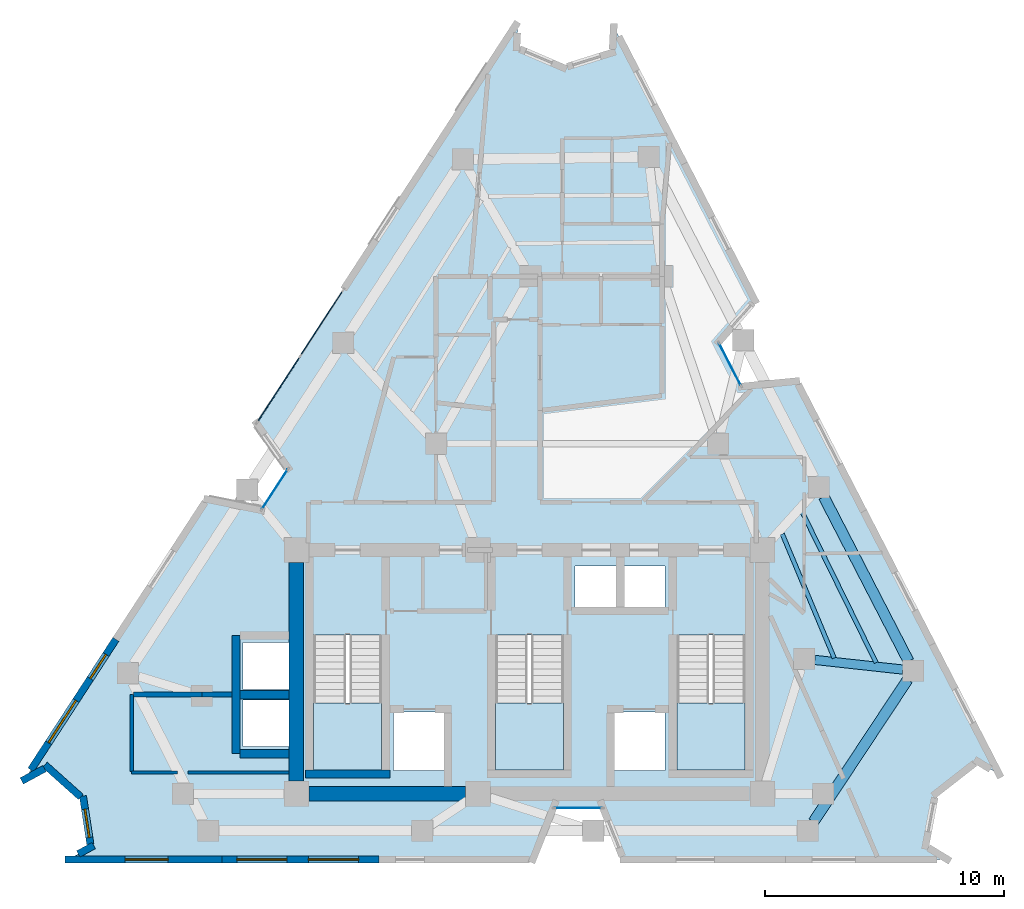
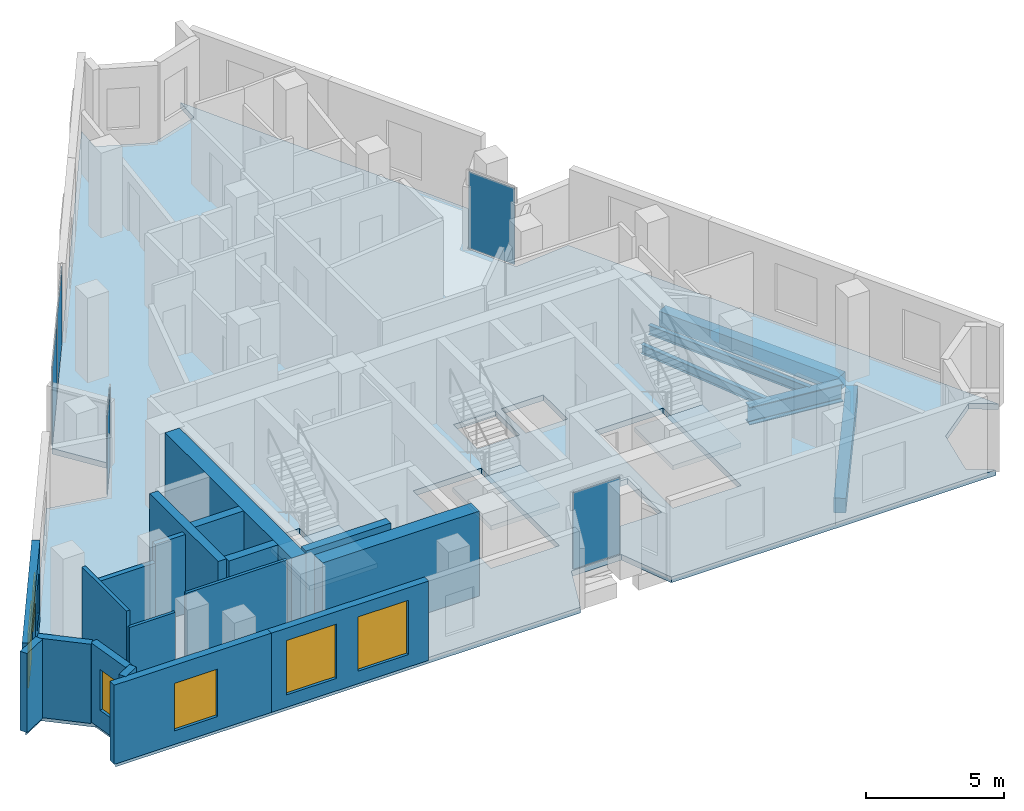
# One storey, part 4 of 9: 18 walls, 6 windows, 5 beams, 5 plates, 4 slabs, 6 openings, 7 elements without a shape of their own.
"""IFC4 building model written with IfcOpenShell, lengths in metres."""

from ifc_helpers import new_model, si_unit, direction, frame, frame_2d, origin, origin_2d, place, context, subcontext, project, spatial, polyline, rectangle, i_section, outline, extrude, material, layer, layer_set, material_profile, profile_set, type_object, element, fill, aggregate, save


model = new_model("IFC4")

# Units and contexts
model_context = context("Model", 3, precision=1e-05, world=origin(), true_north=direction((0.0, 1.0)))
body_context = subcontext(model_context, "Body", "Model", "MODEL_VIEW")
ifc_project = project(units=[si_unit("LENGTHUNIT", "METRE"), si_unit("AREAUNIT", "SQUARE_METRE"), si_unit("VOLUMEUNIT", "CUBIC_METRE"), si_unit("PLANEANGLEUNIT", "RADIAN"), si_unit("MASSUNIT", "GRAM", prefix="KILO")], contexts=[model_context])

# Site, building, storey
site_placement = place(None, origin())
site = spatial("IfcSite", under=ifc_project, at=site_placement, CompositionType="ELEMENT")
building_placement = place(site_placement, origin())
building = spatial("IfcBuilding", under=site, at=building_placement, Name="Almagre Mirador Tower", CompositionType="ELEMENT")
storey_placement = place(building_placement, frame((0.0, 0.0, 210.75)))
storey = spatial("IfcBuildingStorey", under=building, at=storey_placement, Name="L54", CompositionType="ELEMENT", Elevation=210.75)

# Beams
ifc_material_1 = material(Name="Steel ASTM A992 Grade 50", Category="steel")
ifc_material_profile_1 = material_profile(ifc_material_1, i_section(OverallWidth=0.178955078125, OverallDepth=0.408935546875, WebThickness=0.0087890625, FlangeThickness=0.014404296875, FilletRadius=0.013916015625, at=origin_2d()), Name="W16X45")
ifc_profile_set_1 = profile_set([ifc_material_profile_1], Name="Steel ASTM A992 Grade 50")
beam_type_1 = type_object("IfcBeamType", Name="BM-JST-W16X45", PredefinedType="JOIST", material=ifc_profile_set_1)
beam_1_placement = place(storey_placement, frame((51.814208984375, 10.032470703125, -0.45458984375), z_axis=(-0.440499526786, 0.897752842881, 0.0), x_axis=(-0.897752842881, -0.440499526786, 0.0)))
element("IfcBeam", 1, at=beam_1_placement, inside=storey, type_object=beam_type_1, Name="L54 secondary floor joist PC05-PC06.1", PredefinedType="JOIST", context=body_context, shape_type="SweptSolid", body=[
    extrude(i_section(OverallWidth=0.178955078125, OverallDepth=0.408935546875, WebThickness=0.0087890625, FlangeThickness=0.014404296875, FilletRadius=0.013916015625, at=origin_2d()), origin(), (0.0, 0.0, 1.0), 7.02392578125),
])
beam_2_placement = place(storey_placement, frame((50.056884765625, 10.231201171875, -0.45458984375), z_axis=(-0.38582023775, 0.922573977599, 0.0), x_axis=(-0.922573977599, -0.38582023775, 0.0)))
element("IfcBeam", 2, at=beam_2_placement, inside=storey, type_object=beam_type_1, Name="L54 secondary floor joist PC05-PC06.3", PredefinedType="JOIST", context=body_context, shape_type="SweptSolid", body=[
    extrude(i_section(OverallWidth=0.178955078125, OverallDepth=0.408935546875, WebThickness=0.0087890625, FlangeThickness=0.014404296875, FilletRadius=0.013916015625, at=origin_2d()), origin(), (0.0, 0.0, 1.0), 5.624267578125),
])
ifc_material_2 = material(Name="Precast concrete C50/60", Category="concrete")
ifc_material_profile_2 = material_profile(ifc_material_2, rectangle(XDim=0.449951171875, YDim=0.64990234375, at=origin_2d()), Name="RC450X650")
ifc_profile_set_2 = profile_set([ifc_material_profile_2], Name="Precast concrete C50/60")
beam_type_2 = type_object("IfcBeamType", Name="BM-SPN-RC450X650", PredefinedType="SPANDREL", material=ifc_profile_set_2)
beam_3_placement = place(storey_placement, frame((49.1923828125, 3.375244140625, -0.574951171875), z_axis=(0.551908560309, 0.83390463547, 0.0), x_axis=(-0.83390463547, 0.551908560309, 0.0)))
element("IfcBeam", 3, at=beam_3_placement, inside=storey, type_object=beam_type_2, Name="L54 perimeter spandrel beam PC04-PC05", PredefinedType="SPANDREL", context=body_context, shape_type="SweptSolid", body=[
    extrude(rectangle(XDim=0.449951171875, YDim=0.64990234375, at=origin_2d()), origin(), (0.0, 0.0, 1.0), 7.132080078125),
])
beam_4_placement = place(storey_placement, frame((53.1708984375, 10.097900390625, -0.574951171875), z_axis=(-0.45829341544, 0.888800959363, 0.0), x_axis=(-0.888800959363, -0.45829341544, 0.0)))
element("IfcBeam", 4, at=beam_4_placement, inside=storey, type_object=beam_type_2, Name="L54 perimeter spandrel beam PC05-PC06", PredefinedType="SPANDREL", context=body_context, shape_type="SweptSolid", body=[
    extrude(rectangle(XDim=0.449951171875, YDim=0.64990234375, at=origin_2d()), origin(), (0.0, 0.0, 1.0), 7.740966796875),
])
ifc_material_3 = material(Name="Steel ASTM A992 Grade 50", Category="steel")
ifc_material_profile_3 = material_profile(ifc_material_3, i_section(OverallWidth=0.384033203125, OverallDepth=0.784912109375, WebThickness=0.019775390625, FlangeThickness=0.033447265625, FilletRadius=0.02392578125, at=origin_2d()), Name="W30X211")
ifc_profile_set_3 = profile_set([ifc_material_profile_3], Name="Steel ASTM A992 Grade 50")
beam_type_3 = type_object("IfcBeamType", Name="BM-STL-W30X211", PredefinedType="BEAM", material=ifc_profile_set_3)
beam_5_placement = place(storey_placement, frame((52.9296875, 9.7470703125, -0.642578125), z_axis=(-0.994041045224, 0.109006423709, 0.0), x_axis=(-0.109006423709, -0.994041045224, 0.0)))
element("IfcBeam", 5, at=beam_5_placement, inside=storey, type_object=beam_type_3, Name="L54 radial floor girder PC05-MC3", PredefinedType="BEAM", context=body_context, shape_type="SweptSolid", body=[
    extrude(i_section(OverallWidth=0.384033203125, OverallDepth=0.784912109375, WebThickness=0.019775390625, FlangeThickness=0.033447265625, FilletRadius=0.02392578125, at=origin_2d()), origin(), (0.0, 0.0, 1.0), 3.704345703125),
])

# Curtain wall, plate
ifc_material_4 = material(Name="Black anodized aluminium", Category="aluminium")
ifc_layer_1 = layer(ifc_material_4, 0.169921875)
ifc_layer_set_1 = layer_set([ifc_layer_1], Name="Black anodized aluminium")
curtain_wall_type_1 = type_object("IfcCurtainWallType", Name="CW-CRS-SYS", PredefinedType="NOTDEFINED", material=ifc_layer_set_1)
curtain_wall_1_placement = place(storey_placement, origin())
curtain_wall_1 = element("IfcCurtainWall", 6, at=curtain_wall_1_placement, inside=storey, type_object=curtain_wall_type_1, Name="L54 vertical crease curtain wall 01", PredefinedType="NOTDEFINED")
ifc_material_5 = material(Name="Dark solar-control laminated hurricane glass", Category="glass")
ifc_layer_2 = layer(ifc_material_5, 0.028076171875)
ifc_layer_set_2 = layer_set([ifc_layer_2], Name="Dark solar-control laminated hurricane glass")
plate_type_1 = type_object("IfcPlateType", Name="PLT-GLZ-28", PredefinedType="CURTAIN_PANEL", material=ifc_layer_set_2)
plate_1_placement = place(storey_placement, frame((26.65087890625, 17.29150390625, 0.06005859375), z_axis=(0.0, 0.0, 1.0), x_axis=(0.545610640334, 0.838038799313, 0.0)))
plate_1 = element("IfcPlate", 7, at=plate_1_placement, type_object=plate_type_1, Name="CW-4 panel 1.1", PredefinedType="CURTAIN_PANEL", context=body_context, shape_type="SweptSolid", body=[
    extrude(rectangle(XDim=1.969482421875, YDim=0.028076171875, at=origin_2d()), origin(), (0.0, 0.0, 1.0), 3.3798828125),
])
aggregate(curtain_wall_1, [plate_1])

curtain_wall_2_placement = place(storey_placement, origin())
curtain_wall_2 = element("IfcCurtainWall", 8, at=curtain_wall_2_placement, inside=storey, type_object=curtain_wall_type_1, Name="L54 vertical crease curtain wall 03", PredefinedType="NOTDEFINED")
plate_2_placement = place(storey_placement, frame((45.697998046875, 22.51806640625, 0.06005859375), z_axis=(0.0, 0.0, 1.0), x_axis=(0.458277323858, -0.888809256499, 0.0)))
plate_2 = element("IfcPlate", 9, at=plate_2_placement, type_object=plate_type_1, Name="CW-4 panel 1.1", PredefinedType="CURTAIN_PANEL", context=body_context, shape_type="SweptSolid", body=[
    extrude(rectangle(XDim=1.970458984375, YDim=0.028076171875, at=origin_2d()), origin(), (0.0, 0.0, 1.0), 3.3798828125),
])
aggregate(curtain_wall_2, [plate_2])

curtain_wall_3_placement = place(storey_placement, origin())
curtain_wall_3 = element("IfcCurtainWall", 10, at=curtain_wall_3_placement, inside=storey, type_object=curtain_wall_type_1, Name="L54 vertical crease curtain wall 04", PredefinedType="NOTDEFINED")
plate_3_placement = place(storey_placement, frame((39.343994140625, 3.949951171875, 0.06005859375), z_axis=(0.0, 0.0, 1.0), x_axis=(-1.0, 0.0, 0.0)))
plate_3 = element("IfcPlate", 11, at=plate_3_placement, type_object=plate_type_1, Name="CW-4 panel 1.1", PredefinedType="CURTAIN_PANEL", context=body_context, shape_type="SweptSolid", body=[
    extrude(rectangle(XDim=1.969970703125, YDim=0.028076171875, at=origin_2d()), origin(), (0.0, 0.0, 1.0), 3.3798828125),
])
aggregate(curtain_wall_3, [plate_3])

# Curtain wall, plates
ifc_material_6 = material(Name="Black anodized aluminium", Category="aluminium")
ifc_layer_3 = layer(ifc_material_6, 0.199951171875)
ifc_layer_set_3 = layer_set([ifc_layer_3], Name="Black anodized aluminium")
curtain_wall_type_2 = type_object("IfcCurtainWallType", Name="CW-RES-H-SYS", PredefinedType="NOTDEFINED", material=ifc_layer_set_3)
curtain_wall_4_placement = place(storey_placement, origin())
curtain_wall_4 = element("IfcCurtainWall", 12, at=curtain_wall_4_placement, inside=storey, type_object=curtain_wall_type_2, Name="L54 curtain wall run 02", PredefinedType="NOTDEFINED")
ifc_material_7 = material(Name="Dark solar-control laminated hurricane glass", Category="glass")
ifc_layer_4 = layer(ifc_material_7, 0.035888671875)
ifc_layer_set_4 = layer_set([ifc_layer_4], Name="Dark solar-control laminated hurricane glass")
plate_type_2 = type_object("IfcPlateType", Name="PLT-GLZ-36", PredefinedType="CURTAIN_PANEL", material=ifc_layer_set_4)
plate_4_placement = place(storey_placement, frame((26.805908203125, 21.469970703125, 0.06494140625), z_axis=(0.0, 0.0, 1.0), x_axis=(0.545614483846, 0.838036296957, 0.0)))
plate_4 = element("IfcPlate", 13, at=plate_4_placement, type_object=plate_type_2, Name="CW-3 panel 1.1", PredefinedType="CURTAIN_PANEL", context=body_context, shape_type="SweptSolid", body=[
    extrude(rectangle(XDim=3.241943359375, YDim=0.035888671875, at=origin_2d()), origin(), (0.0, 0.0, 1.0), 3.3701171875),
])
plate_5_placement = place(storey_placement, frame((28.610107421875, 24.2412109375, 0.06494140625), z_axis=(0.0, 0.0, 1.0), x_axis=(0.545614483846, 0.838036296957, 0.0)))
plate_5 = element("IfcPlate", 14, at=plate_5_placement, type_object=plate_type_2, Name="CW-3 panel 2.1", PredefinedType="CURTAIN_PANEL", context=body_context, shape_type="SweptSolid", body=[
    extrude(rectangle(XDim=3.241943359375, YDim=0.035888671875, at=origin_2d()), origin(), (0.0, 0.0, 1.0), 3.3701171875),
])
aggregate(curtain_wall_4, [plate_4, plate_5])

# Slab
ifc_material_8 = material(Name="Concrete C45/55", Category="concrete")
ifc_layer_5 = layer(ifc_material_8, 0.25)
ifc_layer_set_5 = layer_set([ifc_layer_5], Name="Concrete C45/55")
slab_type_1 = type_object("IfcSlabType", Name="SLB-FLR-250", PredefinedType="FLOOR", material=ifc_layer_set_5)
slab_1_placement = place(storey_placement, frame((0.0, 0.0, -0.25)))
element("IfcSlab", 15, at=slab_1_placement, inside=storey, type_object=slab_type_1, Name="L54 structural floor slab", PredefinedType="FLOOR", context=body_context, shape_type="SweptSolid", body=[
    extrude(outline(polyline([(16.181884765625, 5.152099609375), (17.132080078125, 5.6669921875), (18.64208984375, 4.31689453125), (18.948974609375, 2.31494140625), (18.0, 1.800048828125), (37.444091796875, 1.800048828125), (38.299072265625, 3.949951171875), (40.388916015625, 3.949951171875), (41.243896484375, 1.800048828125), (54.800048828125, 1.800048828125), (53.8779296875, 2.362060546875), (54.291015625, 4.548095703125), (56.044921875, 5.9169921875), (56.967041015625, 5.35498046875), (48.47998046875, 21.81396484375), (46.177001953125, 21.589111328125), (45.218994140625, 23.447021484375), (46.739013671875, 25.19189453125), (40.8330078125, 36.64501953125), (40.779052734375, 35.56591796875), (38.73291015625, 34.927001953125), (36.762939453125, 35.76904296875), (36.818115234375, 36.847900390625), (25.885986328125, 20.056884765625), (27.220947265625, 18.1669921875), (26.0810546875, 16.416015625), (23.81298828125, 16.8720703125), (16.181884765625, 5.152099609375)]), holes=[polyline([(43.47509765625, 5.550048828125), (43.47509765625, 11.196044921875), (46.324951171875, 11.196044921875), (46.324951171875, 5.550048828125), (43.47509765625, 5.550048828125)]), polyline([(41.219970703125, 12.320068359375), (41.219970703125, 14.080078125), (42.97998046875, 14.080078125), (42.97998046875, 12.320068359375), (41.219970703125, 12.320068359375)]), polyline([(42.97998046875, 5.52001953125), (40.820068359375, 5.52001953125), (40.820068359375, 7.97998046875), (42.97998046875, 7.97998046875), (42.97998046875, 5.52001953125)]), polyline([(39.219970703125, 12.320068359375), (39.219970703125, 14.080078125), (40.97998046875, 14.080078125), (40.97998046875, 12.320068359375), (39.219970703125, 12.320068359375)]), polyline([(35.875, 5.550048828125), (35.875, 11.196044921875), (38.72509765625, 11.196044921875), (38.72509765625, 5.550048828125), (35.875, 5.550048828125)]), polyline([(33.780029296875, 5.52001953125), (31.6201171875, 5.52001953125), (31.6201171875, 7.97998046875), (33.780029296875, 7.97998046875), (33.780029296875, 5.52001953125)]), polyline([(28.27490234375, 5.550048828125), (28.27490234375, 11.196044921875), (31.125, 11.196044921875), (31.125, 5.550048828125), (28.27490234375, 5.550048828125)]), polyline([(27.3798828125, 6.52001953125), (25.320068359375, 6.52001953125), (25.320068359375, 8.47998046875), (27.3798828125, 8.47998046875), (27.3798828125, 6.52001953125)]), polyline([(27.3798828125, 8.919921875), (25.320068359375, 8.919921875), (25.320068359375, 10.8798828125), (27.3798828125, 10.8798828125), (27.3798828125, 8.919921875)])]), origin(), (0.0, 0.0, 1.0), 0.25),
])

# Stair, slab
ifc_material_9 = material(Name="Concrete C45/55", Category="concrete")
stair_type = type_object("IfcStairType", Name="STR-DL-3750", PredefinedType="HALF_TURN_STAIR", material=ifc_material_9)
stair_1_placement = place(storey_placement, origin())
stair_1 = element("IfcStair", 16, at=stair_1_placement, inside=storey, type_object=stair_type, Name="L54 Protected exit stair ST-1", PredefinedType="HALF_TURN_STAIR")
ifc_material_10 = material(Name="Concrete C45/55", Category="concrete")
ifc_layer_6 = layer(ifc_material_10, 0.199951171875)
ifc_layer_set_6 = layer_set([ifc_layer_6], Name="Concrete C45/55")
slab_type_2 = type_object("IfcSlabType", Name="SLB-LND-200", PredefinedType="LANDING", material=ifc_layer_set_6)
slab_2_placement = place(storey_placement, frame((0.0, 0.0, 1.675048828125)))
slab_2 = element("IfcSlab", 17, at=slab_2_placement, type_object=slab_type_2, Name="ST-1 landing 1", PredefinedType="LANDING", context=body_context, shape_type="SweptSolid", body=[
    extrude(outline(polyline([(28.27490234375, 8.35009765625), (28.27490234375, 5.550048828125), (31.125, 5.550048828125), (31.125, 8.35009765625), (28.27490234375, 8.35009765625)])), origin(), (0.0, 0.0, 1.0), 0.199951171875),
])
aggregate(stair_1, [slab_2])

stair_2_placement = place(storey_placement, origin())
stair_2 = element("IfcStair", 18, at=stair_2_placement, inside=storey, type_object=stair_type, Name="L54 Protected exit stair ST-2", PredefinedType="HALF_TURN_STAIR")
slab_3_placement = place(storey_placement, frame((0.0, 0.0, 1.675048828125)))
slab_3 = element("IfcSlab", 19, at=slab_3_placement, type_object=slab_type_2, Name="ST-2 landing 1", PredefinedType="LANDING", context=body_context, shape_type="SweptSolid", body=[
    extrude(outline(polyline([(35.875, 8.35009765625), (35.875, 5.550048828125), (38.72509765625, 5.550048828125), (38.72509765625, 8.35009765625), (35.875, 8.35009765625)])), origin(), (0.0, 0.0, 1.0), 0.199951171875),
])
aggregate(stair_2, [slab_3])

stair_3_placement = place(storey_placement, origin())
stair_3 = element("IfcStair", 20, at=stair_3_placement, inside=storey, type_object=stair_type, Name="L54 Protected exit stair ST-3", PredefinedType="HALF_TURN_STAIR")
slab_4_placement = place(storey_placement, frame((0.0, 0.0, 1.675048828125)))
slab_4 = element("IfcSlab", 21, at=slab_4_placement, type_object=slab_type_2, Name="ST-3 landing 1", PredefinedType="LANDING", context=body_context, shape_type="SweptSolid", body=[
    extrude(outline(polyline([(43.47509765625, 8.35009765625), (43.47509765625, 5.550048828125), (46.324951171875, 5.550048828125), (46.324951171875, 8.35009765625), (43.47509765625, 8.35009765625)])), origin(), (0.0, 0.0, 1.0), 0.199951171875),
])
aggregate(stair_3, [slab_4])

# Wall, openings, windows
ifc_material_11 = material(Name="Precast concrete C50/60", Category="concrete")
ifc_layer_7 = layer(ifc_material_11, 0.300048828125)
ifc_layer_set_7 = layer_set([ifc_layer_7], Name="Precast concrete C50/60")
wall_type_1 = type_object("IfcWallType", Name="WAL-EXT-300", PredefinedType="SOLIDWALL", material=ifc_layer_set_7)
wall_1_placement = place(storey_placement, frame((31.00927734375, 1.800048828125, 0.0), z_axis=(0.0, 0.0, 1.0), x_axis=(-1.0, 0.0, 0.0)))
wall_1 = element("IfcWall", 22, at=wall_1_placement, inside=storey, type_object=wall_type_1, Name="L54 expressed almagre precast frame wall 25", PredefinedType="SOLIDWALL", context=body_context, shape_type="SweptSolid", body=[
    extrude(rectangle(XDim=6.574462890625, YDim=0.300048828125, at=frame_2d((3.287109375, 0.0))), origin(), (0.0, 0.0, 1.0), 3.5),
])
opening_1_placement = place(wall_1_placement, frame((3.85009765625, 0.0, 0.550048828125)))
opening_1 = element("IfcOpeningElement", 23, at=opening_1_placement, cuts=wall_1, Name="Opening WN-05", PredefinedType="OPENING", context=body_context, shape_type="SweptSolid", body=[
    extrude(rectangle(XDim=2.10009765625, YDim=2.39990234375, at=frame_2d((1.050048828125, 1.199951171875))), frame((0.0, 0.159902, 0.0), z_axis=(0.0, -1.0, 0.0), x_axis=(1.0, 0.0, 0.0)), (0.0, 0.0, 1.0), 0.320049),
])
opening_2_placement = place(wall_1_placement, frame((0.85009765625, 0.0, 0.550048828125)))
opening_2 = element("IfcOpeningElement", 24, at=opening_2_placement, cuts=wall_1, Name="Opening WN-05", PredefinedType="OPENING", context=body_context, shape_type="SweptSolid", body=[
    extrude(rectangle(XDim=2.10009765625, YDim=2.39990234375, at=frame_2d((1.050048828125, 1.199951171875))), frame((0.0, 0.159902, 0.0), z_axis=(0.0, -1.0, 0.0), x_axis=(1.0, 0.0, 0.0)), (0.0, 0.0, 1.0), 0.320049),
])
ifc_material_12 = material(Name="Dark solar-control laminated hurricane glass", Category="glass")
window_type_1 = type_object("IfcWindowType", Name="WIN-2100X2400", PartitioningType="DOUBLE_PANEL_VERTICAL", PredefinedType="WINDOW", material=ifc_material_12)
window_1_placement = place(opening_1_placement, origin())
window_1 = element("IfcWindow", 25, at=window_1_placement, inside=storey, type_object=window_type_1, Name="L54 recessed hurricane window L54-UA-LV", OverallHeight=2.39990234375, OverallWidth=2.10009765625, PartitioningType="SINGLE_PANEL", PredefinedType="WINDOW", context=body_context, shape_type="SweptSolid", body=[
    extrude(rectangle(XDim=2.10009765625, YDim=2.39990234375, at=frame_2d((1.050048828125, 1.199951171875))), frame((0.0, 0.030029296875, 0.0), z_axis=(0.0, -1.0, 0.0), x_axis=(1.0, 0.0, 0.0)), (0.0, 0.0, 1.0), 0.06005859375),
])
fill(opening_1, window_1)
window_2_placement = place(opening_2_placement, origin())
window_2 = element("IfcWindow", 26, at=window_2_placement, inside=storey, type_object=window_type_1, Name="L54 recessed hurricane window L54-UA-MB", OverallHeight=2.39990234375, OverallWidth=2.10009765625, PartitioningType="SINGLE_PANEL", PredefinedType="WINDOW", context=body_context, shape_type="SweptSolid", body=[
    extrude(rectangle(XDim=2.10009765625, YDim=2.39990234375, at=frame_2d((1.050048828125, 1.199951171875))), frame((0.0, 0.030029296875, 0.0), z_axis=(0.0, -1.0, 0.0), x_axis=(1.0, 0.0, 0.0)), (0.0, 0.0, 1.0), 0.06005859375),
])
fill(opening_2, window_2)

# Wall, opening, window
wall_2_placement = place(storey_placement, frame((24.434814453125, 1.800048828125, 0.0), z_axis=(0.0, 0.0, 1.0), x_axis=(-1.0, 0.0, 0.0)))
wall_2 = element("IfcWall", 27, at=wall_2_placement, inside=storey, type_object=wall_type_1, Name="L54 expressed almagre precast frame wall 26", PredefinedType="SOLIDWALL", context=body_context, shape_type="SweptSolid", body=[
    extrude(rectangle(XDim=6.57470703125, YDim=0.300048828125, at=frame_2d((3.287353515625, 0.0))), origin(), (0.0, 0.0, 1.0), 3.5),
])
opening_3_placement = place(wall_2_placement, frame((2.25, 0.0, 0.60009765625)))
opening_3 = element("IfcOpeningElement", 28, at=opening_3_placement, cuts=wall_2, Name="Opening WN-01", PredefinedType="OPENING", context=body_context, shape_type="SweptSolid", body=[
    extrude(rectangle(XDim=1.800048828125, YDim=2.10009765625, at=frame_2d((0.89990234375, 1.050048828125))), frame((0.0, 0.159902, 0.0), z_axis=(0.0, -1.0, 0.0), x_axis=(1.0, 0.0, 0.0)), (0.0, 0.0, 1.0), 0.320049),
])
ifc_material_13 = material(Name="Dark solar-control laminated hurricane glass", Category="glass")
window_type_2 = type_object("IfcWindowType", Name="WIN-1800X2100", PartitioningType="DOUBLE_PANEL_VERTICAL", PredefinedType="WINDOW", material=ifc_material_13)
window_3_placement = place(opening_3_placement, origin())
window_3 = element("IfcWindow", 29, at=window_3_placement, inside=storey, type_object=window_type_2, Name="L54 recessed hurricane window L54-UA-LV", OverallHeight=2.10009765625, OverallWidth=1.800048828125, PartitioningType="SINGLE_PANEL", PredefinedType="WINDOW", context=body_context, shape_type="SweptSolid", body=[
    extrude(rectangle(XDim=1.800048828125, YDim=2.10009765625, at=frame_2d((0.89990234375, 1.050048828125))), frame((0.0, 0.030029296875, 0.0), z_axis=(0.0, -1.0, 0.0), x_axis=(1.0, 0.0, 0.0)), (0.0, 0.0, 1.0), 0.06005859375),
])
fill(opening_3, window_3)

# Wall
wall_3_placement = place(storey_placement, frame((18.42626953125, 2.03125, 0.0), z_axis=(0.0, 0.0, 1.0), x_axis=(0.878833528688, 0.47712852446, 0.0)))
element("IfcWall", 30, at=wall_3_placement, inside=storey, type_object=wall_type_1, Name="L54 expressed almagre precast frame wall 27", PredefinedType="SOLIDWALL", context=body_context, shape_type="SweptSolid", body=[
    extrude(rectangle(XDim=0.73486328125, YDim=0.300048828125, at=frame_2d((0.367431640625, 0.0))), origin(), (0.0, 0.0, 1.0), 3.5),
])

# Wall, opening, window
wall_4_placement = place(storey_placement, frame((18.928466796875, 2.448486328125, 0.0), z_axis=(0.0, 0.0, 1.0), x_axis=(-0.151514993769, 0.98845495935, 0.0)))
wall_4 = element("IfcWall", 31, at=wall_4_placement, inside=storey, type_object=wall_type_1, Name="L54 expressed almagre precast frame wall 28", PredefinedType="SOLIDWALL", context=body_context, shape_type="SweptSolid", body=[
    extrude(rectangle(XDim=2.0302734375, YDim=0.300048828125, at=frame_2d((1.01513671875, 0.0))), origin(), (0.0, 0.0, 1.0), 3.5),
])
opening_4_placement = place(wall_4_placement, frame((0.27490234375, 0.0, 0.800048828125)))
opening_4 = element("IfcOpeningElement", 32, at=opening_4_placement, cuts=wall_4, Name="Opening WN-04", PredefinedType="OPENING", context=body_context, shape_type="SweptSolid", body=[
    extrude(rectangle(XDim=1.199951171875, YDim=1.800048828125, at=frame_2d((0.60009765625, 0.89990234375))), frame((0.0, 0.159902, 0.0), z_axis=(0.0, -1.0, 0.0), x_axis=(1.0, 0.0, 0.0)), (0.0, 0.0, 1.0), 0.320049),
])
ifc_material_14 = material(Name="Dark solar-control laminated hurricane glass", Category="glass")
window_type_3 = type_object("IfcWindowType", Name="WIN-1200X1800", PartitioningType="SINGLE_PANEL", PredefinedType="WINDOW", material=ifc_material_14)
window_4_placement = place(opening_4_placement, origin())
window_4 = element("IfcWindow", 33, at=window_4_placement, inside=storey, type_object=window_type_3, Name="L54 recessed hurricane window L54-UA-LV", OverallHeight=1.800048828125, OverallWidth=1.199951171875, PartitioningType="SINGLE_PANEL", PredefinedType="WINDOW", context=body_context, shape_type="SweptSolid", body=[
    extrude(rectangle(XDim=1.199951171875, YDim=1.800048828125, at=frame_2d((0.60009765625, 0.89990234375))), frame((0.0, 0.030029296875, 0.0), z_axis=(0.0, -1.0, 0.0), x_axis=(1.0, 0.0, 0.0)), (0.0, 0.0, 1.0), 0.06005859375),
])
fill(opening_4, window_4)

# Walls
wall_5_placement = place(storey_placement, frame((18.5302734375, 4.4169921875, 0.0), z_axis=(0.0, 0.0, 1.0), x_axis=(-0.745548529149, 0.666451341572, 0.0)))
element("IfcWall", 34, at=wall_5_placement, inside=storey, type_object=wall_type_1, Name="L54 expressed almagre precast frame wall 29", PredefinedType="SOLIDWALL", context=body_context, shape_type="SweptSolid", body=[
    extrude(rectangle(XDim=2.015625, YDim=0.300048828125, at=frame_2d((1.0078125, 0.0))), origin(), (0.0, 0.0, 1.0), 3.5),
])
wall_6_placement = place(storey_placement, frame((17.01318359375, 5.602783203125, 0.0), z_axis=(0.0, 0.0, 1.0), x_axis=(-0.879044634191, -0.476739479275, 0.0)))
element("IfcWall", 35, at=wall_6_placement, inside=storey, type_object=wall_type_1, Name="L54 expressed almagre precast frame wall 30", PredefinedType="SOLIDWALL", context=body_context, shape_type="SweptSolid", body=[
    extrude(rectangle(XDim=1.085693359375, YDim=0.300048828125, at=frame_2d((0.54296875, 0.0))), origin(), (0.0, 0.0, 1.0), 3.5),
])

# Wall, openings, windows
wall_7_placement = place(storey_placement, frame((16.441162109375, 5.550048828125, 0.0), z_axis=(0.0, 0.0, 1.0), x_axis=(0.545651760549, 0.838012026292, 0.0)))
wall_7 = element("IfcWall", 36, at=wall_7_placement, inside=storey, type_object=wall_type_1, Name="L54 expressed almagre precast frame wall 31", PredefinedType="SOLIDWALL", context=body_context, shape_type="SweptSolid", body=[
    extrude(rectangle(XDim=6.517822265625, YDim=0.300048828125, at=frame_2d((3.2587890625, 0.0))), origin(), (0.0, 0.0, 1.0), 3.5),
])
opening_5_placement = place(wall_7_placement, frame((1.360107421875, 0.0, 0.550048828125)))
opening_5 = element("IfcOpeningElement", 37, at=opening_5_placement, cuts=wall_7, Name="Opening WN-05", PredefinedType="OPENING", context=body_context, shape_type="SweptSolid", body=[
    extrude(rectangle(XDim=2.10009765625, YDim=2.39990234375, at=frame_2d((1.050048828125, 1.199951171875))), frame((0.0, 0.159902, 0.0), z_axis=(0.0, -1.0, 0.0), x_axis=(1.0, 0.0, 0.0)), (0.0, 0.0, 1.0), 0.320049),
])
opening_6_placement = place(wall_7_placement, frame((4.56005859375, 0.0, 0.800048828125)))
opening_6 = element("IfcOpeningElement", 38, at=opening_6_placement, cuts=wall_7, Name="Opening WN-04", PredefinedType="OPENING", context=body_context, shape_type="SweptSolid", body=[
    extrude(rectangle(XDim=1.199951171875, YDim=1.800048828125, at=frame_2d((0.60009765625, 0.89990234375))), frame((0.0, 0.159902, 0.0), z_axis=(0.0, -1.0, 0.0), x_axis=(1.0, 0.0, 0.0)), (0.0, 0.0, 1.0), 0.320049),
])
window_5_placement = place(opening_6_placement, origin())
window_5 = element("IfcWindow", 39, at=window_5_placement, inside=storey, type_object=window_type_3, Name="L54 recessed hurricane window L54-UD-ST", OverallHeight=1.800048828125, OverallWidth=1.199951171875, PartitioningType="SINGLE_PANEL", PredefinedType="WINDOW", context=body_context, shape_type="SweptSolid", body=[
    extrude(rectangle(XDim=1.199951171875, YDim=1.800048828125, at=frame_2d((0.60009765625, 0.89990234375))), frame((0.0, 0.030029296875, 0.0), z_axis=(0.0, -1.0, 0.0), x_axis=(1.0, 0.0, 0.0)), (0.0, 0.0, 1.0), 0.06005859375),
])
fill(opening_6, window_5)
window_6_placement = place(opening_5_placement, origin())
window_6 = element("IfcWindow", 40, at=window_6_placement, inside=storey, type_object=window_type_1, Name="L54 recessed hurricane window L54-UA-HB", OverallHeight=2.39990234375, OverallWidth=2.10009765625, PartitioningType="SINGLE_PANEL", PredefinedType="WINDOW", context=body_context, shape_type="SweptSolid", body=[
    extrude(rectangle(XDim=2.10009765625, YDim=2.39990234375, at=frame_2d((1.050048828125, 1.199951171875))), frame((0.0, 0.030029296875, 0.0), z_axis=(0.0, -1.0, 0.0), x_axis=(1.0, 0.0, 0.0)), (0.0, 0.0, 1.0), 0.06005859375),
])
fill(opening_5, window_6)

# Walls
ifc_material_15 = material(Name="Gypsum acoustic stud partition", Category="other")
ifc_layer_8 = layer(ifc_material_15, 0.125)
ifc_layer_set_8 = layer_set([ifc_layer_8], Name="Gypsum acoustic stud partition")
wall_type_2 = type_object("IfcWallType", Name="WAL-PRT-125-UTL", PredefinedType="PARTITIONING", material=ifc_layer_set_8)
wall_8_placement = place(storey_placement, frame((22.580078125, 5.429931640625, 0.0), z_axis=(0.0, 0.0, 1.0), x_axis=(-1.0, 0.0, 0.0)))
element("IfcWall", 41, at=wall_8_placement, inside=storey, type_object=wall_type_2, Name="L54 interior partition 016", PredefinedType="PARTITIONING", context=body_context, shape_type="SweptSolid", body=[
    extrude(rectangle(XDim=1.920166015625, YDim=0.125, at=frame_2d((0.9599609375, 0.0))), origin(), (0.0, 0.0, 1.0), 2.820068359375),
])
wall_9_placement = place(storey_placement, frame((27.25, 5.429931640625, 0.0), z_axis=(0.0, 0.0, 1.0), x_axis=(-1.0, 0.0, 0.0)))
element("IfcWall", 42, at=wall_9_placement, inside=storey, type_object=wall_type_2, Name="L54 interior partition 017", PredefinedType="PARTITIONING", context=body_context, shape_type="SweptSolid", body=[
    extrude(rectangle(XDim=4.22998046875, YDim=0.125, at=frame_2d((2.114990234375, 0.0))), origin(), (0.0, 0.0, 1.0), 3.5),
])
ifc_material_16 = material(Name="Gypsum acoustic stud partition", Category="other")
ifc_layer_9 = layer(ifc_material_16, 0.14990234375)
ifc_layer_set_9 = layer_set([ifc_layer_9], Name="Gypsum acoustic stud partition")
wall_type_3 = type_object("IfcWallType", Name="WAL-PRT-150-STD", PredefinedType="PARTITIONING", material=ifc_layer_set_9)
wall_10_placement = place(storey_placement, frame((20.659912109375, 5.4775390625, 0.0), z_axis=(0.0, 0.0, 1.0), x_axis=(0.0, 1.0, 0.0)))
element("IfcWall", 43, at=wall_10_placement, inside=storey, type_object=wall_type_3, Name="L54 interior partition 019", PredefinedType="PARTITIONING", context=body_context, shape_type="SweptSolid", body=[
    extrude(rectangle(XDim=3.222412109375, YDim=0.14990234375, at=frame_2d((1.611328125, 0.0))), origin(), (0.0, 0.0, 1.0), 3.5),
])
ifc_material_17 = material(Name="Gypsum acoustic stud partition", Category="other")
ifc_layer_10 = layer(ifc_material_17, 0.199951171875)
ifc_layer_set_10 = layer_set([ifc_layer_10], Name="Gypsum acoustic stud partition")
wall_type_4 = type_object("IfcWallType", Name="WAL-PRT-200-EI60", PredefinedType="PARTITIONING", material=ifc_layer_set_10)
wall_11_placement = place(storey_placement, frame((23.60009765625, 8.699951171875, 0.0), z_axis=(0.0, 0.0, 1.0), x_axis=(-1.0, 0.0, 0.0)))
element("IfcWall", 44, at=wall_11_placement, inside=storey, type_object=wall_type_4, Name="L54 interior partition 022", PredefinedType="PARTITIONING", context=body_context, shape_type="SweptSolid", body=[
    extrude(rectangle(XDim=2.8701171875, YDim=0.199951171875, at=frame_2d((1.43505859375, 0.0))), origin(), (0.0, 0.0, 1.0), 2.68505859375),
])
wall_12_placement = place(storey_placement, frame((24.864990234375, 8.699951171875, 0.0), z_axis=(0.0, 0.0, 1.0), x_axis=(-1.0, 0.0, 0.0)))
element("IfcWall", 45, at=wall_12_placement, inside=storey, type_object=wall_type_4, Name="L54 interior partition 023", PredefinedType="PARTITIONING", context=body_context, shape_type="SweptSolid", body=[
    extrude(rectangle(XDim=1.264892578125, YDim=0.199951171875, at=frame_2d((0.63232421875, 0.0))), origin(), (0.0, 0.0, 1.0), 3.5),
])
ifc_material_18 = material(Name="Concrete C60/75", Category="concrete")
ifc_layer_11 = layer(ifc_material_18, 0.35009765625)
ifc_layer_set_11 = layer_set([ifc_layer_11], Name="Concrete C60/75")
wall_type_5 = type_object("IfcWallType", Name="WAL-SHF-350", PredefinedType="SOLIDWALL", material=ifc_layer_set_11)
wall_13_placement = place(storey_placement, frame((27.925048828125, 5.375, 0.0), z_axis=(0.0, 0.0, 1.0), x_axis=(1.0, 0.0, 0.0)))
element("IfcWall", 46, at=wall_13_placement, inside=storey, type_object=wall_type_5, Name="L54 shaft wall ST1-S", PredefinedType="SOLIDWALL", context=body_context, shape_type="SweptSolid", body=[
    extrude(rectangle(XDim=3.550048828125, YDim=0.35009765625, at=frame_2d((1.77490234375, 0.0))), origin(), (0.0, 0.0, 1.0), 3.75),
])
wall_14_placement = place(storey_placement, frame((25.02490234375, 6.22509765625, 0.0), z_axis=(0.0, 0.0, 1.0), x_axis=(0.0, 1.0, 0.0)))
element("IfcWall", 47, at=wall_14_placement, inside=storey, type_object=wall_type_5, Name="L54 shaft wall OL-W", PredefinedType="SOLIDWALL", context=body_context, shape_type="SweptSolid", body=[
    extrude(rectangle(XDim=4.949951171875, YDim=0.35009765625, at=frame_2d((2.47509765625, 0.0))), origin(), (0.0, 0.0, 1.0), 3.75),
])
for number, where, z_axis, x_axis, name in (
    (48, (25.199951171875, 6.22509765625, 0.0), (0.0, 0.0, 1.0), (1.0, 0.0, 0.0), "L54 shaft wall OL-S"),
    (49, (25.199951171875, 8.699951171875, 0.0), (0.0, 0.0, 1.0), (1.0, 0.0, 0.0), "L54 shaft wall OL-M"),
):
    element("IfcWall", number, at=place(storey_placement, frame(where, z_axis=z_axis, x_axis=x_axis)), inside=storey, type_object=wall_type_5, Name=name, PredefinedType="SOLIDWALL", context=body_context, shape_type="SweptSolid", body=[
        extrude(rectangle(XDim=2.050048828125, YDim=0.35009765625, at=frame_2d((1.02490234375, 0.0))), origin(), (0.0, 0.0, 1.0), 3.75),
    ])
ifc_material_19 = material(Name="Concrete C60/75", Category="concrete")
ifc_layer_12 = layer(ifc_material_19, 0.60009765625)
ifc_layer_set_12 = layer_set([ifc_layer_12], Name="Concrete C60/75")
wall_type_6 = type_object("IfcWallType", Name="WAL-SHR-600", PredefinedType="SHEAR", material=ifc_layer_set_12)
wall_15_placement = place(storey_placement, frame((28.074951171875, 4.550048828125, 0.0), z_axis=(0.0, 0.0, 1.0), x_axis=(1.0, 0.0, 0.0)))
element("IfcWall", 50, at=wall_15_placement, inside=storey, type_object=wall_type_6, Name="L54 core shear wall S1", PredefinedType="SHEAR", context=body_context, shape_type="SweptSolid", body=[
    extrude(rectangle(XDim=6.550048828125, YDim=0.60009765625, at=frame_2d((3.27490234375, 0.0))), origin(), (0.0, 0.0, 1.0), 3.75),
])
wall_16_placement = place(storey_placement, frame((27.550048828125, 5.074951171875, 0.0), z_axis=(0.0, 0.0, 1.0), x_axis=(0.0, 1.0, 0.0)))
element("IfcWall", 51, at=wall_16_placement, inside=storey, type_object=wall_type_6, Name="L54 core shear wall W1", PredefinedType="SHEAR", context=body_context, shape_type="SweptSolid", body=[
    extrude(rectangle(XDim=9.150146484375, YDim=0.60009765625, at=frame_2d((4.5751953125, 0.0))), origin(), (0.0, 0.0, 1.0), 3.75),
])

save(model, "model.ifc")
